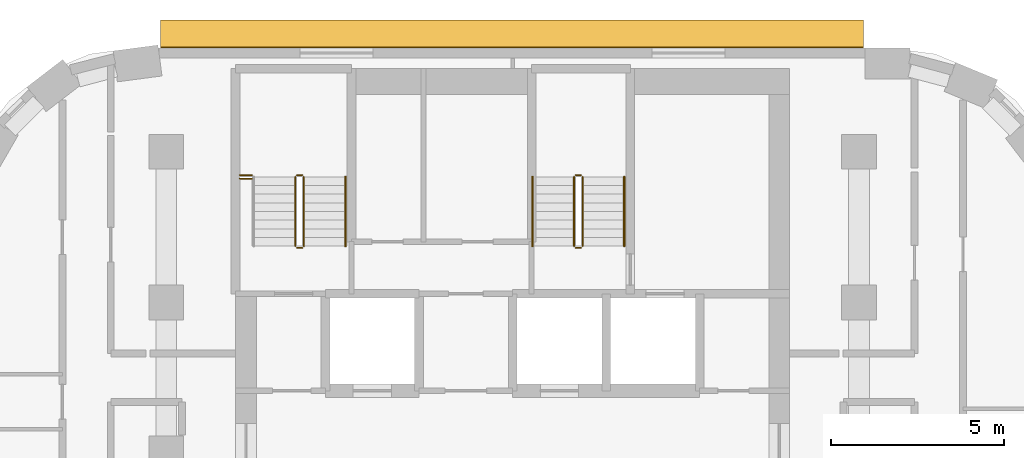
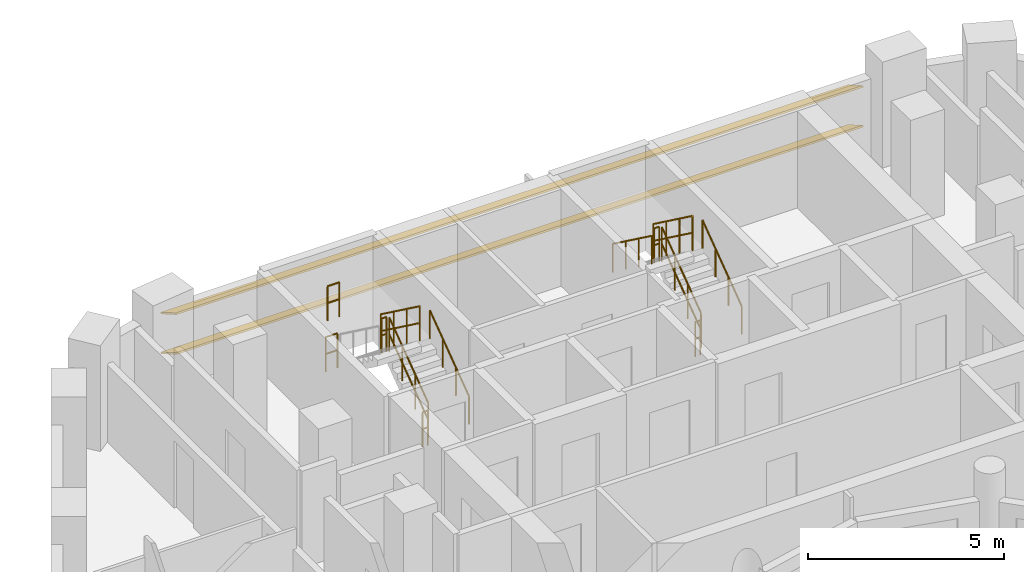
# One storey, part 13 of 13: 13 railings, 2 shading devices.
"""IFC4 building model written with IfcOpenShell, lengths in metres."""

from ifc_helpers import new_model, si_unit, direction, frame, origin, origin_2d, place, context, subcontext, project, spatial, rectangle, circle, extrude, material, material_profile, profile_set, type_object, element, save


model = new_model("IFC4")

# Units and contexts
model_context = context("Model", 3, precision=1e-05, world=origin(), true_north=direction((0.0, 1.0)))
body_context = subcontext(model_context, "Body", "Model", "MODEL_VIEW")
ifc_project = project(units=[si_unit("LENGTHUNIT", "METRE"), si_unit("AREAUNIT", "SQUARE_METRE"), si_unit("VOLUMEUNIT", "CUBIC_METRE"), si_unit("PLANEANGLEUNIT", "RADIAN"), si_unit("MASSUNIT", "GRAM", prefix="KILO")], contexts=[model_context])

# Site, building, storey
site_placement = place(None, origin())
site = spatial("IfcSite", under=ifc_project, at=site_placement, CompositionType="ELEMENT")
building_placement = place(site_placement, origin())
building = spatial("IfcBuilding", under=site, at=building_placement, Name="Nakaniwa Court", CompositionType="ELEMENT")
storey_placement = place(building_placement, frame((0.0, 0.0, 137.10009765625)))
storey = spatial("IfcBuildingStorey", under=building, at=storey_placement, Name="L35", CompositionType="ELEMENT", Elevation=137.10009765625)

# Shading devices
ifc_material_1 = material(Name="Perforated charcoal ceramic louvre blade")
ifc_material_profile = material_profile(ifc_material_1, rectangle(XDim=0.89990234375, YDim=0.050048828125, at=origin_2d()), Name="Perforated ceramic louvre blade")
ifc_profile_set = profile_set([ifc_material_profile], Name="Perforated charcoal ceramic louvre blade")
shading_device_type = type_object("IfcShadingDeviceType", Name="Perforated ceramic louvre blade", PredefinedType="JALOUSIE", material=ifc_profile_set)
for number, where, z_axis, x_axis, name in (
    (1, (90.128662109375, 104.402099609375, 0.5498046875), (-1.0, 0.0, 0.0), (0.0, -0.866025403784, 0.5), "L35 perforated ceramic louvre blade w08 1"),
    (2, (90.128662109375, 104.402099609375, 1.793212890625), (-1.0, 0.0, 0.0), (0.0, -0.866025403784, 0.5), "L35 perforated ceramic louvre blade w08 2"),
):
    element("IfcShadingDevice", number, at=place(storey_placement, frame(where, z_axis=z_axis, x_axis=x_axis)), inside=storey, type_object=shading_device_type, Name=name, PredefinedType="JALOUSIE", context=body_context, shape_type="SweptSolid", body=[
        extrude(rectangle(XDim=0.89990234375, YDim=0.050048828125, at=origin_2d()), origin(), (0.0, 0.0, 1.0), 20.291259765625),
    ])

# Railings
ifc_material_2 = material(Name="Black powder coated steel guard", Category="steel")
railing_type_1 = type_object("IfcRailingType", Name="Stair guard 1100", PredefinedType="GUARDRAIL", material=ifc_material_2)
railing_1_placement = place(storey_placement, frame((73.97509765625, 98.27490234375, 0.183349609375)))
element("IfcRailing", 3, at=railing_1_placement, inside=storey, type_object=railing_type_1, Name="L35 ST1 stair guard 1", PredefinedType="GUARDRAIL", context=body_context, shape_type="SweptSolid", body=[
    extrude(circle(Radius=0.02392578125, at=origin_2d()), frame((0.0, 0.0, 1.076171875), z_axis=(0.0, 0.806426902644, 0.591333789573), x_axis=(-1.0, 0.0, 0.0)), (0.0, 0.0, 1.0), 2.47998046875),
    extrude(circle(Radius=0.02392578125, at=origin_2d()), frame((0.0, 0.0, 0.550048828125), z_axis=(0.0, 0.806426902644, 0.591333789573), x_axis=(-1.0, 0.0, 0.0)), (0.0, 0.0, 1.0), 2.47998046875),
    extrude(circle(Radius=0.02099609375, at=origin_2d()), origin(), (0.0, 0.0, 1.0), 1.052001953125),
    extrude(circle(Radius=0.02099609375, at=origin_2d()), frame((0.0, 0.666748046875, 0.48876953125)), (0.0, 0.0, 1.0), 1.052001953125),
    extrude(circle(Radius=0.02099609375, at=origin_2d()), frame((0.0, 1.333251953125, 0.977783203125)), (0.0, 0.0, 1.0), 1.052001953125),
    extrude(circle(Radius=0.02099609375, at=origin_2d()), frame((0.0, 2.0, 1.466552734375)), (0.0, 0.0, 1.0), 1.052001953125),
])
railing_2_placement = place(storey_placement, frame((73.925048828125, 100.324951171875, 1.64990234375)))
element("IfcRailing", 4, at=railing_2_placement, inside=storey, type_object=railing_type_1, Name="L35 ST1 stair guard 2", PredefinedType="GUARDRAIL", context=body_context, shape_type="SweptSolid", body=[
    extrude(circle(Radius=0.02392578125, at=origin_2d()), frame((0.0, 0.0, 1.076171875), z_axis=(-1.0, 0.0, 0.0), x_axis=(0.0, -1.0, 0.0)), (0.0, 0.0, 1.0), 0.150146484375),
    extrude(circle(Radius=0.02392578125, at=origin_2d()), frame((0.0, 0.0, 0.550048828125), z_axis=(-1.0, 0.0, 0.0), x_axis=(0.0, -1.0, 0.0)), (0.0, 0.0, 1.0), 0.150146484375),
    extrude(circle(Radius=0.02099609375, at=origin_2d()), origin(), (0.0, 0.0, 1.0), 1.052001953125),
    extrude(circle(Radius=0.02099609375, at=origin_2d()), frame((-0.150146484375, 0.0, 0.0)), (0.0, 0.0, 1.0), 1.052001953125),
])
railing_3_placement = place(storey_placement, frame((73.72509765625, 100.27490234375, 1.833251953125)))
element("IfcRailing", 5, at=railing_3_placement, inside=storey, type_object=railing_type_1, Name="L35 ST1 stair guard 3", PredefinedType="GUARDRAIL", context=body_context, shape_type="SweptSolid", body=[
    extrude(circle(Radius=0.02392578125, at=origin_2d()), frame((0.0, 0.0, 1.076171875), z_axis=(0.0, -0.806426902644, 0.591333789573), x_axis=(1.0, 0.0, 0.0)), (0.0, 0.0, 1.0), 2.47998046875),
    extrude(circle(Radius=0.02392578125, at=origin_2d()), frame((0.0, 0.0, 0.550048828125), z_axis=(0.0, -0.806426902644, 0.591333789573), x_axis=(1.0, 0.0, 0.0)), (0.0, 0.0, 1.0), 2.47998046875),
    extrude(circle(Radius=0.02099609375, at=origin_2d()), origin(), (0.0, 0.0, 1.0), 1.052001953125),
    extrude(circle(Radius=0.02099609375, at=origin_2d()), frame((0.0, -0.666748046875, 0.48876953125)), (0.0, 0.0, 1.0), 1.052001953125),
    extrude(circle(Radius=0.02099609375, at=origin_2d()), frame((0.0, -1.333251953125, 0.977783203125)), (0.0, 0.0, 1.0), 1.052001953125),
    extrude(circle(Radius=0.02099609375, at=origin_2d()), frame((0.0, -2.0, 1.466552734375)), (0.0, 0.0, 1.0), 1.052001953125),
])
railing_4_placement = place(storey_placement, frame((73.925048828125, 98.22509765625, 0.0)))
element("IfcRailing", 6, at=railing_4_placement, inside=storey, type_object=railing_type_1, Name="L35 ST1 stair guard 4", PredefinedType="GUARDRAIL", context=body_context, shape_type="SweptSolid", body=[
    extrude(circle(Radius=0.02392578125, at=origin_2d()), frame((0.0, 0.0, 1.076171875), z_axis=(-1.0, 0.0, 0.0), x_axis=(0.0, -1.0, 0.0)), (0.0, 0.0, 1.0), 0.150146484375),
    extrude(circle(Radius=0.02392578125, at=origin_2d()), frame((0.0, 0.0, 0.550048828125), z_axis=(-1.0, 0.0, 0.0), x_axis=(0.0, -1.0, 0.0)), (0.0, 0.0, 1.0), 0.150146484375),
    extrude(circle(Radius=0.02099609375, at=origin_2d()), origin(), (0.0, 0.0, 1.0), 1.052001953125),
    extrude(circle(Radius=0.02099609375, at=origin_2d()), frame((-0.150146484375, 0.0, 0.0)), (0.0, 0.0, 1.0), 1.052001953125),
])
for number, where, name in (
    (7, (72.125, 100.324951171875, 1.64990234375), "L35 ST1 landing side guard 1W"),
    (8, (72.125, 100.22509765625, 3.2998046875), "L35 ST1 floor edge guard 1W"),
):
    element("IfcRailing", number, at=place(storey_placement, frame(where)), inside=storey, type_object=railing_type_1, Name=name, PredefinedType="GUARDRAIL", context=body_context, shape_type="SweptSolid", body=[
        extrude(circle(Radius=0.02392578125, at=origin_2d()), frame((0.0, 0.0, 1.076171875), z_axis=(1.0, 0.0, 0.0), x_axis=(0.0, 1.0, 0.0)), (0.0, 0.0, 1.0), 0.35009765625),
        extrude(circle(Radius=0.02392578125, at=origin_2d()), frame((0.0, 0.0, 0.550048828125), z_axis=(1.0, 0.0, 0.0), x_axis=(0.0, 1.0, 0.0)), (0.0, 0.0, 1.0), 0.35009765625),
        extrude(circle(Radius=0.02099609375, at=origin_2d()), origin(), (0.0, 0.0, 1.0), 1.052001953125),
        extrude(circle(Radius=0.02099609375, at=origin_2d()), frame((0.35009765625, 0.0, 0.0)), (0.0, 0.0, 1.0), 1.052001953125),
    ])
railing_5_placement = place(storey_placement, frame((82.02490234375, 98.27490234375, 0.183349609375)))
element("IfcRailing", 9, at=railing_5_placement, inside=storey, type_object=railing_type_1, Name="L35 ST2 stair guard 1", PredefinedType="GUARDRAIL", context=body_context, shape_type="SweptSolid", body=[
    extrude(circle(Radius=0.02392578125, at=origin_2d()), frame((0.0, 0.0, 1.076171875), z_axis=(0.0, 0.806426902644, 0.591333789573), x_axis=(-1.0, 0.0, 0.0)), (0.0, 0.0, 1.0), 2.47998046875),
    extrude(circle(Radius=0.02392578125, at=origin_2d()), frame((0.0, 0.0, 0.550048828125), z_axis=(0.0, 0.806426902644, 0.591333789573), x_axis=(-1.0, 0.0, 0.0)), (0.0, 0.0, 1.0), 2.47998046875),
    extrude(circle(Radius=0.02099609375, at=origin_2d()), origin(), (0.0, 0.0, 1.0), 1.052001953125),
    extrude(circle(Radius=0.02099609375, at=origin_2d()), frame((0.0, 0.666748046875, 0.48876953125)), (0.0, 0.0, 1.0), 1.052001953125),
    extrude(circle(Radius=0.02099609375, at=origin_2d()), frame((0.0, 1.333251953125, 0.977783203125)), (0.0, 0.0, 1.0), 1.052001953125),
    extrude(circle(Radius=0.02099609375, at=origin_2d()), frame((0.0, 2.0, 1.466552734375)), (0.0, 0.0, 1.0), 1.052001953125),
])
railing_6_placement = place(storey_placement, frame((81.97509765625, 100.324951171875, 1.64990234375)))
element("IfcRailing", 10, at=railing_6_placement, inside=storey, type_object=railing_type_1, Name="L35 ST2 stair guard 2", PredefinedType="GUARDRAIL", context=body_context, shape_type="SweptSolid", body=[
    extrude(circle(Radius=0.02392578125, at=origin_2d()), frame((0.0, 0.0, 1.076171875), z_axis=(-1.0, 0.0, 0.0), x_axis=(0.0, -1.0, 0.0)), (0.0, 0.0, 1.0), 0.150146484375),
    extrude(circle(Radius=0.02392578125, at=origin_2d()), frame((0.0, 0.0, 0.550048828125), z_axis=(-1.0, 0.0, 0.0), x_axis=(0.0, -1.0, 0.0)), (0.0, 0.0, 1.0), 0.150146484375),
    extrude(circle(Radius=0.02099609375, at=origin_2d()), origin(), (0.0, 0.0, 1.0), 1.052001953125),
    extrude(circle(Radius=0.02099609375, at=origin_2d()), frame((-0.150146484375, 0.0, 0.0)), (0.0, 0.0, 1.0), 1.052001953125),
])
railing_7_placement = place(storey_placement, frame((81.77490234375, 100.27490234375, 1.833251953125)))
element("IfcRailing", 11, at=railing_7_placement, inside=storey, type_object=railing_type_1, Name="L35 ST2 stair guard 3", PredefinedType="GUARDRAIL", context=body_context, shape_type="SweptSolid", body=[
    extrude(circle(Radius=0.02392578125, at=origin_2d()), frame((0.0, 0.0, 1.076171875), z_axis=(0.0, -0.806426902644, 0.591333789573), x_axis=(1.0, 0.0, 0.0)), (0.0, 0.0, 1.0), 2.47998046875),
    extrude(circle(Radius=0.02392578125, at=origin_2d()), frame((0.0, 0.0, 0.550048828125), z_axis=(0.0, -0.806426902644, 0.591333789573), x_axis=(1.0, 0.0, 0.0)), (0.0, 0.0, 1.0), 2.47998046875),
    extrude(circle(Radius=0.02099609375, at=origin_2d()), origin(), (0.0, 0.0, 1.0), 1.052001953125),
    extrude(circle(Radius=0.02099609375, at=origin_2d()), frame((0.0, -0.666748046875, 0.48876953125)), (0.0, 0.0, 1.0), 1.052001953125),
    extrude(circle(Radius=0.02099609375, at=origin_2d()), frame((0.0, -1.333251953125, 0.977783203125)), (0.0, 0.0, 1.0), 1.052001953125),
    extrude(circle(Radius=0.02099609375, at=origin_2d()), frame((0.0, -2.0, 1.466552734375)), (0.0, 0.0, 1.0), 1.052001953125),
])
railing_8_placement = place(storey_placement, frame((81.97509765625, 98.22509765625, 0.0)))
element("IfcRailing", 12, at=railing_8_placement, inside=storey, type_object=railing_type_1, Name="L35 ST2 stair guard 4", PredefinedType="GUARDRAIL", context=body_context, shape_type="SweptSolid", body=[
    extrude(circle(Radius=0.02392578125, at=origin_2d()), frame((0.0, 0.0, 1.076171875), z_axis=(-1.0, 0.0, 0.0), x_axis=(0.0, -1.0, 0.0)), (0.0, 0.0, 1.0), 0.150146484375),
    extrude(circle(Radius=0.02392578125, at=origin_2d()), frame((0.0, 0.0, 0.550048828125), z_axis=(-1.0, 0.0, 0.0), x_axis=(0.0, -1.0, 0.0)), (0.0, 0.0, 1.0), 0.150146484375),
    extrude(circle(Radius=0.02099609375, at=origin_2d()), origin(), (0.0, 0.0, 1.0), 1.052001953125),
    extrude(circle(Radius=0.02099609375, at=origin_2d()), frame((-0.150146484375, 0.0, 0.0)), (0.0, 0.0, 1.0), 1.052001953125),
])
ifc_material_3 = material(Name="Black powder coated steel handrail", Category="steel")
railing_type_2 = type_object("IfcRailingType", Name="Stair handrail 900", PredefinedType="HANDRAIL", material=ifc_material_3)
for number, where, name in (
    (13, (75.175048828125, 98.27490234375, 0.183349609375), "L35 ST1 stair handrail 1"),
    (14, (83.22509765625, 98.27490234375, 0.183349609375), "L35 ST2 stair handrail 1"),
):
    element("IfcRailing", number, at=place(storey_placement, frame(where)), inside=storey, type_object=railing_type_2, Name=name, PredefinedType="HANDRAIL", context=body_context, shape_type="SweptSolid", body=[
        extrude(circle(Radius=0.02392578125, at=origin_2d()), frame((0.0, 0.0, 0.8759765625), z_axis=(0.0, 0.806426902644, 0.591333789573), x_axis=(-1.0, 0.0, 0.0)), (0.0, 0.0, 1.0), 2.47998046875),
        extrude(circle(Radius=0.02099609375, at=origin_2d()), origin(), (0.0, 0.0, 1.0), 0.851806640625),
        extrude(circle(Radius=0.02099609375, at=origin_2d()), frame((0.0, 0.666748046875, 0.48876953125)), (0.0, 0.0, 1.0), 0.851806640625),
        extrude(circle(Radius=0.02099609375, at=origin_2d()), frame((0.0, 1.333251953125, 0.977783203125)), (0.0, 0.0, 1.0), 0.851806640625),
        extrude(circle(Radius=0.02099609375, at=origin_2d()), frame((0.0, 2.0, 1.466552734375)), (0.0, 0.0, 1.0), 0.851806640625),
    ])
railing_9_placement = place(storey_placement, frame((80.574951171875, 100.27490234375, 1.833251953125)))
element("IfcRailing", 15, at=railing_9_placement, inside=storey, type_object=railing_type_2, Name="L35 ST2 stair handrail 2", PredefinedType="HANDRAIL", context=body_context, shape_type="SweptSolid", body=[
    extrude(circle(Radius=0.02392578125, at=origin_2d()), frame((0.0, 0.0, 0.8759765625), z_axis=(0.0, -0.806426902644, 0.591333789573), x_axis=(1.0, 0.0, 0.0)), (0.0, 0.0, 1.0), 2.47998046875),
    extrude(circle(Radius=0.02099609375, at=origin_2d()), origin(), (0.0, 0.0, 1.0), 0.851806640625),
    extrude(circle(Radius=0.02099609375, at=origin_2d()), frame((0.0, -0.666748046875, 0.48876953125)), (0.0, 0.0, 1.0), 0.851806640625),
    extrude(circle(Radius=0.02099609375, at=origin_2d()), frame((0.0, -1.333251953125, 0.977783203125)), (0.0, 0.0, 1.0), 0.851806640625),
    extrude(circle(Radius=0.02099609375, at=origin_2d()), frame((0.0, -2.0, 1.466552734375)), (0.0, 0.0, 1.0), 0.851806640625),
])

save(model, "model.ifc")
